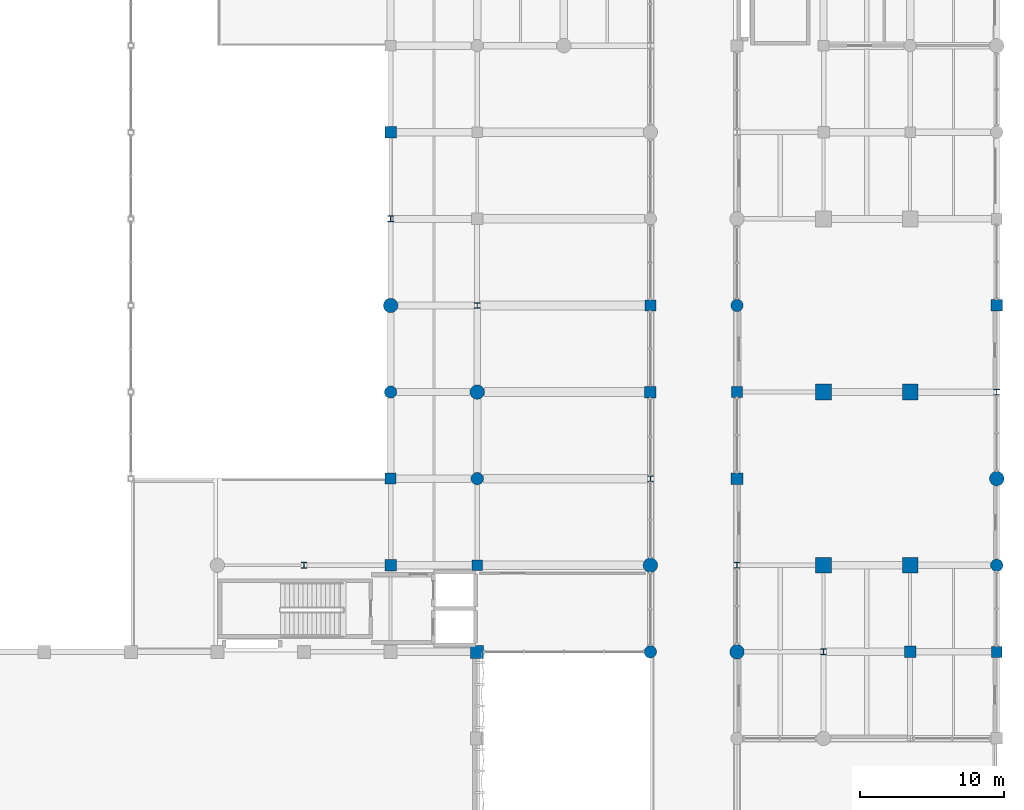
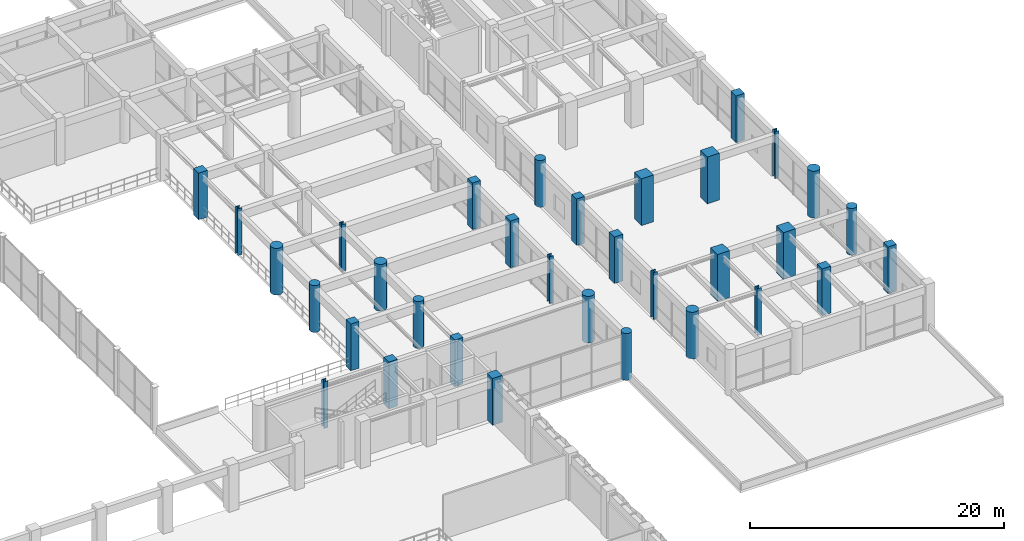
# One storey, part 15 of 133: 33 columns.
"""IFC4 building model written with IfcOpenShell, lengths in metres."""

from ifc_helpers import new_model, si_unit, direction, frame, origin, origin_2d, place, context, subcontext, project, spatial, rectangle, circle, i_section, extrude, material, material_profile, profile_set, type_object, element, save


model = new_model("IFC4")

# Units and contexts
model_context = context("Model", 3, precision=1e-05, world=origin(), true_north=direction((0.0, 1.0)))
body_context = subcontext(model_context, "Body", "Model", "MODEL_VIEW")
ifc_project = project(units=[si_unit("LENGTHUNIT", "METRE"), si_unit("AREAUNIT", "SQUARE_METRE"), si_unit("VOLUMEUNIT", "CUBIC_METRE"), si_unit("PLANEANGLEUNIT", "RADIAN"), si_unit("MASSUNIT", "GRAM", prefix="KILO"), si_unit("THERMODYNAMICTEMPERATUREUNIT", "KELVIN"), si_unit("POWERUNIT", "WATT")], contexts=[model_context])

# Site, building, storey
site_placement = place(None, origin())
site = spatial("IfcSite", under=ifc_project, at=site_placement, CompositionType="ELEMENT")
building_placement = place(site_placement, origin())
building = spatial("IfcBuilding", under=site, at=building_placement, Name="Phaisarnlok Congress Hotel", CompositionType="ELEMENT")
storey_placement = place(building_placement, frame((0.0, 0.0, 6.0)))
storey = spatial("IfcBuildingStorey", under=building, at=storey_placement, Name="L01", CompositionType="ELEMENT", Elevation=6.0)

# Columns
ifc_material_1 = material(Name="Concrete C50/60", Category="concrete")
ifc_material_profile_1 = material_profile(ifc_material_1, rectangle(XDim=1.10009765625, YDim=1.10009765625, at=origin_2d()), Name="RC 1100x1100")
ifc_profile_set_1 = profile_set([ifc_material_profile_1], Name="Concrete C50/60")
column_type_1 = type_object("IfcColumnType", Name="COL-RC-1100", PredefinedType="COLUMN", material=ifc_profile_set_1)
for number, where, z_axis, x_axis, name in (
    (1, (168.0, 42.0, 0.0), (0.0, 0.0, 1.0), (1.0, 0.0, 0.0), "Column C-10 (L01)"),
    (2, (168.0, 54.0, 0.0), (0.0, 0.0, 1.0), (1.0, 0.0, 0.0), "Column C-10 (L01)"),
    (3, (174.0, 42.0, 0.0), (0.0, 0.0, 1.0), (1.0, 0.0, 0.0), "Column C-10 (L01)"),
    (4, (174.0, 54.0, 0.0), (0.0, 0.0, 1.0), (1.0, 0.0, 0.0), "Column C-10 (L01)"),
):
    element("IfcColumn", number, at=place(storey_placement, frame(where, z_axis=z_axis, x_axis=x_axis)), inside=storey, type_object=column_type_1, Name=name, PredefinedType="COLUMN", context=body_context, shape_type="SweptSolid", body=[
        extrude(rectangle(XDim=1.10009765625, YDim=1.10009765625, at=origin_2d()), origin(), (0.0, 0.0, 1.0), 4.5),
    ])
ifc_material_profile_2 = material_profile(ifc_material_1, rectangle(XDim=0.75, YDim=0.75, at=origin_2d()), Name="RC 750x750")
ifc_profile_set_2 = profile_set([ifc_material_profile_2], Name="Concrete C50/60")
column_type_2 = type_object("IfcColumnType", Name="COL-RC-750", PredefinedType="COLUMN", material=ifc_profile_set_2)
for number, where, z_axis, x_axis, name in (
    (5, (138.0, 48.0, 0.0), (0.0, 0.0, 1.0), (1.0, 0.0, 0.0), "Column C-06 (L01)"),
    (6, (144.0, 42.0, 0.0), (0.0, 0.0, 1.0), (1.0, 0.0, 0.0), "Column C-06 (L01)"),
    (7, (156.0, 60.0, 0.0), (0.0, 0.0, 1.0), (1.0, 0.0, 0.0), "Column C-06 (L01)"),
    (8, (162.0, 54.0, 0.0), (0.0, 0.0, 1.0), (1.0, 0.0, 0.0), "Column C-06 (L01)"),
):
    element("IfcColumn", number, at=place(storey_placement, frame(where, z_axis=z_axis, x_axis=x_axis)), inside=storey, type_object=column_type_2, Name=name, PredefinedType="COLUMN", context=body_context, shape_type="SweptSolid", body=[
        extrude(rectangle(XDim=0.75, YDim=0.75, at=origin_2d()), origin(), (0.0, 0.0, 1.0), 4.5),
    ])
ifc_material_profile_3 = material_profile(ifc_material_1, rectangle(XDim=0.75, YDim=0.75, at=origin_2d()), Name="RC 750x750")
ifc_profile_set_3 = profile_set([ifc_material_profile_3], Name="Concrete C50/60")
column_type_3 = type_object("IfcColumnType", Name="COL-RC-750-EXT", PredefinedType="COLUMN", material=ifc_profile_set_3)
column_1_placement = place(storey_placement, frame((180.0, 36.0, 0.0), z_axis=(0.0, 0.0, 1.0), x_axis=(1.0, 0.0, 0.0)))
element("IfcColumn", 9, at=column_1_placement, inside=storey, type_object=column_type_3, Name="Column C-06E (L01)", PredefinedType="COLUMN", context=body_context, shape_type="SweptSolid", body=[
    extrude(rectangle(XDim=0.75, YDim=0.75, at=origin_2d()), origin(), (0.0, 0.0, 1.0), 4.5),
])
ifc_material_profile_4 = material_profile(ifc_material_1, rectangle(XDim=0.800048828125, YDim=0.800048828125, at=origin_2d()), Name="RC 800x800")
ifc_profile_set_4 = profile_set([ifc_material_profile_4], Name="Concrete C50/60")
column_type_4 = type_object("IfcColumnType", Name="COL-RC-800", PredefinedType="COLUMN", material=ifc_profile_set_4)
for number, where, z_axis, x_axis, name in (
    (10, (138.0, 42.0, 0.0), (0.0, 0.0, 1.0), (1.0, 0.0, 0.0), "Column C-07 (L01)"),
    (11, (138.0, 72.0, 0.0), (0.0, 0.0, 1.0), (1.0, 0.0, 0.0), "Column C-07 (L01)"),
    (12, (156.0, 54.0, 0.0), (0.0, 0.0, 1.0), (1.0, 0.0, 0.0), "Column C-07 (L01)"),
    (13, (162.0, 48.0, 0.0), (0.0, 0.0, 1.0), (1.0, 0.0, 0.0), "Column C-07 (L01)"),
    (14, (174.0, 36.0, 0.0), (0.0, 0.0, 1.0), (1.0, 0.0, 0.0), "Column C-07 (L01)"),
):
    element("IfcColumn", number, at=place(storey_placement, frame(where, z_axis=z_axis, x_axis=x_axis)), inside=storey, type_object=column_type_4, Name=name, PredefinedType="COLUMN", context=body_context, shape_type="SweptSolid", body=[
        extrude(rectangle(XDim=0.800048828125, YDim=0.800048828125, at=origin_2d()), origin(), (0.0, 0.0, 1.0), 4.5),
    ])
ifc_material_profile_5 = material_profile(ifc_material_1, rectangle(XDim=0.800048828125, YDim=0.800048828125, at=origin_2d()), Name="RC 800x800")
ifc_profile_set_5 = profile_set([ifc_material_profile_5], Name="Concrete C50/60")
column_type_5 = type_object("IfcColumnType", Name="COL-RC-800-EXT", PredefinedType="COLUMN", material=ifc_profile_set_5)
column_2_placement = place(storey_placement, frame((180.0, 60.0, 0.0), z_axis=(0.0, 0.0, 1.0), x_axis=(1.0, 0.0, 0.0)))
element("IfcColumn", 15, at=column_2_placement, inside=storey, type_object=column_type_5, Name="Column C-07E (L01)", PredefinedType="COLUMN", context=body_context, shape_type="SweptSolid", body=[
    extrude(rectangle(XDim=0.800048828125, YDim=0.800048828125, at=origin_2d()), origin(), (0.0, 0.0, 1.0), 4.5),
])
ifc_material_profile_6 = material_profile(ifc_material_1, rectangle(XDim=0.89990234375, YDim=0.89990234375, at=origin_2d()), Name="RC 900x900")
ifc_profile_set_6 = profile_set([ifc_material_profile_6], Name="Concrete C50/60")
column_type_6 = type_object("IfcColumnType", Name="COL-RC-900", PredefinedType="COLUMN", material=ifc_profile_set_6)
column_3_placement = place(storey_placement, frame((144.0, 36.0, 0.0), z_axis=(0.0, 0.0, 1.0), x_axis=(1.0, 0.0, 0.0)))
element("IfcColumn", 16, at=column_3_placement, inside=storey, type_object=column_type_6, Name="Column C-08 (L01)", PredefinedType="COLUMN", context=body_context, shape_type="SweptSolid", body=[
    extrude(rectangle(XDim=0.89990234375, YDim=0.89990234375, at=origin_2d()), origin(), (0.0, 0.0, 1.0), 4.5),
])
ifc_material_profile_7 = material_profile(ifc_material_1, circle(Radius=0.5, at=origin_2d()), Name="RCC D1000")
ifc_profile_set_7 = profile_set([ifc_material_profile_7], Name="Concrete C50/60")
column_type_7 = type_object("IfcColumnType", Name="COL-RCC-1000", PredefinedType="COLUMN", material=ifc_profile_set_7)
for number, where, z_axis, x_axis, name in (
    (17, (138.0, 60.0, 0.0), (0.0, 0.0, 1.0), (1.0, 0.0, 0.0), "Column C-15 (L01)"),
    (18, (144.0, 54.0, 0.0), (0.0, 0.0, 1.0), (1.0, 0.0, 0.0), "Column C-15 (L01)"),
    (19, (156.0, 42.0, 0.0), (0.0, 0.0, 1.0), (1.0, 0.0, 0.0), "Column C-15 (L01)"),
    (20, (162.0, 36.0, 0.0), (0.0, 0.0, 1.0), (1.0, 0.0, 0.0), "Column C-15 (L01)"),
):
    element("IfcColumn", number, at=place(storey_placement, frame(where, z_axis=z_axis, x_axis=x_axis)), inside=storey, type_object=column_type_7, Name=name, PredefinedType="COLUMN", context=body_context, shape_type="SweptSolid", body=[
        extrude(circle(Radius=0.5, at=origin_2d()), origin(), (0.0, 0.0, 1.0), 4.5),
    ])
ifc_material_profile_8 = material_profile(ifc_material_1, circle(Radius=0.5, at=origin_2d()), Name="RCC D1000")
ifc_profile_set_8 = profile_set([ifc_material_profile_8], Name="Concrete C50/60")
column_type_8 = type_object("IfcColumnType", Name="COL-RCC-1000-EXT", PredefinedType="COLUMN", material=ifc_profile_set_8)
column_4_placement = place(storey_placement, frame((180.0, 48.0, 0.0), z_axis=(0.0, 0.0, 1.0), x_axis=(1.0, 0.0, 0.0)))
element("IfcColumn", 21, at=column_4_placement, inside=storey, type_object=column_type_8, Name="Column C-15E (L01)", PredefinedType="COLUMN", context=body_context, shape_type="SweptSolid", body=[
    extrude(circle(Radius=0.5, at=origin_2d()), origin(), (0.0, 0.0, 1.0), 4.5),
])
ifc_material_profile_9 = material_profile(ifc_material_1, circle(Radius=0.425048828125, at=origin_2d()), Name="RCC D850")
ifc_profile_set_9 = profile_set([ifc_material_profile_9], Name="Concrete C50/60")
column_type_9 = type_object("IfcColumnType", Name="COL-RCC-850", PredefinedType="COLUMN", material=ifc_profile_set_9)
for number, where, z_axis, x_axis, name in (
    (22, (138.0, 54.0, 0.0), (0.0, 0.0, 1.0), (1.0, 0.0, 0.0), "Column C-14 (L01)"),
    (23, (144.0, 48.0, 0.0), (0.0, 0.0, 1.0), (1.0, 0.0, 0.0), "Column C-14 (L01)"),
    (24, (156.0, 36.0, 0.0), (0.0, 0.0, 1.0), (1.0, 0.0, 0.0), "Column C-14 (L01)"),
    (25, (162.0, 60.0, 0.0), (0.0, 0.0, 1.0), (1.0, 0.0, 0.0), "Column C-14 (L01)"),
):
    element("IfcColumn", number, at=place(storey_placement, frame(where, z_axis=z_axis, x_axis=x_axis)), inside=storey, type_object=column_type_9, Name=name, PredefinedType="COLUMN", context=body_context, shape_type="SweptSolid", body=[
        extrude(circle(Radius=0.425048828125, at=origin_2d()), origin(), (0.0, 0.0, 1.0), 4.5),
    ])
ifc_material_profile_10 = material_profile(ifc_material_1, circle(Radius=0.425048828125, at=origin_2d()), Name="RCC D850")
ifc_profile_set_10 = profile_set([ifc_material_profile_10], Name="Concrete C50/60")
column_type_10 = type_object("IfcColumnType", Name="COL-RCC-850-EXT", PredefinedType="COLUMN", material=ifc_profile_set_10)
column_5_placement = place(storey_placement, frame((180.0, 42.0, 0.0), z_axis=(0.0, 0.0, 1.0), x_axis=(1.0, 0.0, 0.0)))
element("IfcColumn", 26, at=column_5_placement, inside=storey, type_object=column_type_10, Name="Column C-14E (L01)", PredefinedType="COLUMN", context=body_context, shape_type="SweptSolid", body=[
    extrude(circle(Radius=0.425048828125, at=origin_2d()), origin(), (0.0, 0.0, 1.0), 4.5),
])
ifc_material_2 = material(Name="Steel S355", Category="steel")
ifc_material_profile_11 = material_profile(ifc_material_2, i_section(OverallWidth=0.40087890625, OverallDepth=0.39892578125, WebThickness=0.0185546875, FlangeThickness=0.030029296875, FilletRadius=0.014892578125, at=origin_2d()), Name="HD 400x314")
ifc_profile_set_11 = profile_set([ifc_material_profile_11], Name="Steel S355")
column_type_11 = type_object("IfcColumnType", Name="COL-STL-HD314", PredefinedType="COLUMN", material=ifc_profile_set_11)
for number, where, z_axis, x_axis, name in (
    (27, (132.0, 42.0, 0.0), (0.0, 0.0, 1.0), (1.0, 0.0, 0.0), "Column SC-04 (L01)"),
    (28, (138.0, 66.0, 0.0), (0.0, 0.0, 1.0), (1.0, 0.0, 0.0), "Column SC-04 (L01)"),
    (29, (144.0, 60.0, 0.0), (0.0, 0.0, 1.0), (1.0, 0.0, 0.0), "Column SC-04 (L01)"),
    (30, (156.0, 48.0, 0.0), (0.0, 0.0, 1.0), (1.0, 0.0, 0.0), "Column SC-04 (L01)"),
    (31, (162.0, 42.0, 0.0), (0.0, 0.0, 1.0), (1.0, 0.0, 0.0), "Column SC-04 (L01)"),
    (32, (168.0, 36.0, 0.0), (0.0, 0.0, 1.0), (1.0, 0.0, 0.0), "Column SC-04 (L01)"),
):
    element("IfcColumn", number, at=place(storey_placement, frame(where, z_axis=z_axis, x_axis=x_axis)), inside=storey, type_object=column_type_11, Name=name, PredefinedType="COLUMN", context=body_context, shape_type="SweptSolid", body=[
        extrude(i_section(OverallWidth=0.40087890625, OverallDepth=0.39892578125, WebThickness=0.0185546875, FlangeThickness=0.030029296875, FilletRadius=0.014892578125, at=origin_2d()), origin(), (0.0, 0.0, 1.0), 4.5),
    ])
ifc_material_profile_12 = material_profile(ifc_material_2, i_section(OverallWidth=0.40087890625, OverallDepth=0.39892578125, WebThickness=0.0185546875, FlangeThickness=0.030029296875, FilletRadius=0.014892578125, at=origin_2d()), Name="HD 400x314")
ifc_profile_set_12 = profile_set([ifc_material_profile_12], Name="Steel S355")
column_type_12 = type_object("IfcColumnType", Name="COL-STL-HD314-EXT", PredefinedType="COLUMN", material=ifc_profile_set_12)
column_6_placement = place(storey_placement, frame((180.0, 54.0, 0.0), z_axis=(0.0, 0.0, 1.0), x_axis=(1.0, 0.0, 0.0)))
element("IfcColumn", 33, at=column_6_placement, inside=storey, type_object=column_type_12, Name="Column SC-04E (L01)", PredefinedType="COLUMN", context=body_context, shape_type="SweptSolid", body=[
    extrude(i_section(OverallWidth=0.40087890625, OverallDepth=0.39892578125, WebThickness=0.0185546875, FlangeThickness=0.030029296875, FilletRadius=0.014892578125, at=origin_2d()), origin(), (0.0, 0.0, 1.0), 4.5),
])

save(model, "model.ifc")
